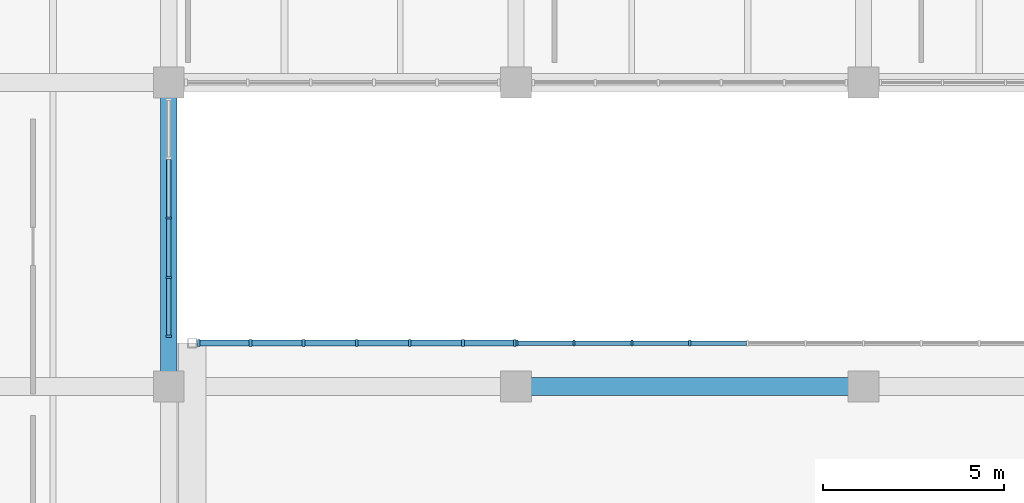
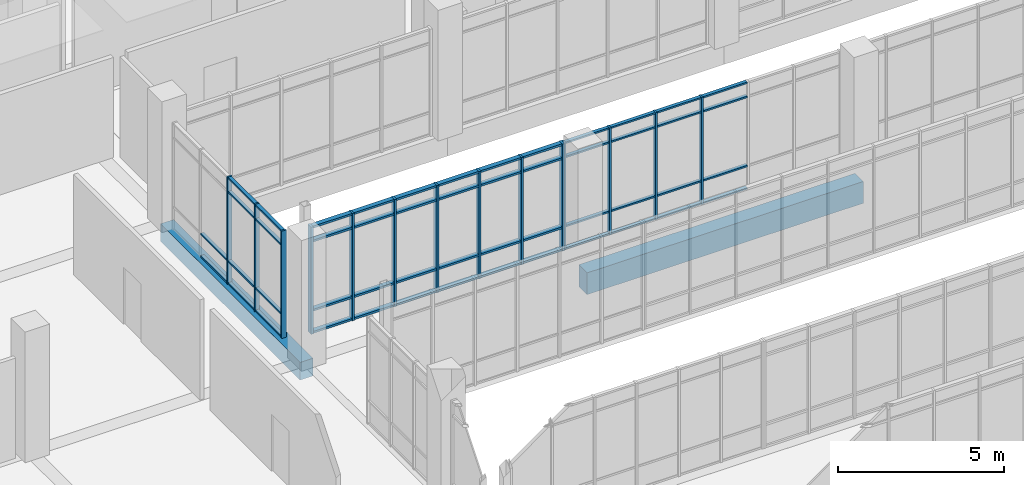
# One storey, part 53 of 152: 64 members, 2 beams, 3 elements without a shape of their own.
"""IFC4 building model written with IfcOpenShell, lengths in metres."""

from ifc_helpers import new_model, si_unit, direction, frame, origin, origin_2d, place, context, subcontext, project, spatial, rectangle, extrude, material, material_profile, profile_set, type_object, element, aggregate, save


model = new_model("IFC4")

# Units and contexts
model_context = context("Model", 3, precision=1e-05, world=origin(), true_north=direction((0.0, 1.0)))
body_context = subcontext(model_context, "Body", "Model", "MODEL_VIEW")
ifc_project = project(units=[si_unit("LENGTHUNIT", "METRE"), si_unit("AREAUNIT", "SQUARE_METRE"), si_unit("VOLUMEUNIT", "CUBIC_METRE"), si_unit("PLANEANGLEUNIT", "RADIAN"), si_unit("MASSUNIT", "GRAM", prefix="KILO")], contexts=[model_context])

# Site, building, storey
site_placement = place(None, origin())
site = spatial("IfcSite", under=ifc_project, at=site_placement, CompositionType="ELEMENT")
building_placement = place(site_placement, origin())
building = spatial("IfcBuilding", under=site, at=building_placement, Name="Oolite Switchyard Hospital", CompositionType="ELEMENT")
storey_placement = place(building_placement, frame((0.0, 0.0, 5.10009765625)))
storey = spatial("IfcBuildingStorey", under=building, at=storey_placement, Name="L01", CompositionType="ELEMENT", Elevation=5.10009765625)

# Beams
ifc_material_1 = material(Name="Concrete C40/50", Category="concrete")
ifc_material_profile_1 = material_profile(ifc_material_1, rectangle(XDim=0.449951171875, YDim=0.64990234375, at=origin_2d()), Name="RCB450X650")
ifc_profile_set_1 = profile_set([ifc_material_profile_1], Name="Concrete C40/50")
beam_type_1 = type_object("IfcBeamType", Name="BM-RC450X650", PredefinedType="BEAM", material=ifc_profile_set_1)
beam_1_placement = place(storey_placement, frame((144.0, 50.39990234375, -0.3251953125), z_axis=(0.0, 1.0, 0.0), x_axis=(-1.0, 0.0, 0.0)))
element("IfcBeam", 1, at=beam_1_placement, inside=storey, type_object=beam_type_1, Name="L01 Y-Girder 464", PredefinedType="BEAM", context=body_context, shape_type="SweptSolid", body=[
    extrude(rectangle(XDim=0.449951171875, YDim=0.64990234375, at=origin_2d()), origin(), (0.0, 0.0, 1.0), 8.400146484375),
])
ifc_material_profile_2 = material_profile(ifc_material_1, rectangle(XDim=0.5, YDim=0.800048828125, at=origin_2d()), Name="RCB500X800")
ifc_profile_set_2 = profile_set([ifc_material_profile_2], Name="Concrete C40/50")
beam_type_2 = type_object("IfcBeamType", Name="BM-RC500X800", PredefinedType="BEAM", material=ifc_profile_set_2)
beam_2_placement = place(storey_placement, frame((153.60009765625, 50.39990234375, -0.400146484375), z_axis=(1.0, 0.0, 0.0), x_axis=(0.0, 1.0, 0.0)))
element("IfcBeam", 2, at=beam_2_placement, inside=storey, type_object=beam_type_2, Name="L01 X-Girder 106", PredefinedType="BEAM", context=body_context, shape_type="SweptSolid", body=[
    extrude(rectangle(XDim=0.5, YDim=0.800048828125, at=origin_2d()), origin(), (0.0, 0.0, 1.0), 9.599853515625),
])

# Curtain wall, members
ifc_material_2 = material(Name="Thermally broken aluminum frame with laminated impact glazing", Category="aluminium")
curtain_wall_type_1 = type_object("IfcCurtainWallType", Name="CW-BRG-96X38", PredefinedType="USERDEFINED", material=ifc_material_2)
curtain_wall_1_placement = place(storey_placement, origin())
curtain_wall_1 = element("IfcCurtainWall", 3, at=curtain_wall_1_placement, inside=storey, type_object=curtain_wall_type_1, Name="L01 Unitised Curtain Wall 128", ObjectType="UNITISED", PredefinedType="USERDEFINED")
ifc_material_3 = material(Name="Aluminium 6063-T6", Category="aluminium")
ifc_material_profile_3 = material_profile(ifc_material_3, rectangle(XDim=0.159912109375, YDim=0.06005859375, at=origin_2d()), Name="CWM60X160")
ifc_profile_set_3 = profile_set([ifc_material_profile_3], Name="Aluminium 6063-T6")
member_type_1 = type_object("IfcMemberType", Name="CW-MUL-180", PredefinedType="MULLION", material=ifc_profile_set_3)
member_1_placement = place(storey_placement, frame((153.6298828125, 51.60009765625, 0.0), z_axis=(0.0, 0.0, 1.0), x_axis=(0.0, 1.0, 0.0)))
member_1 = element("IfcMember", 4, at=member_1_placement, type_object=member_type_1, Name="CW-12 mullion 1", PredefinedType="MULLION", context=body_context, shape_type="SweptSolid", body=[
    extrude(rectangle(XDim=0.159912109375, YDim=0.06005859375, at=origin_2d()), origin(), (0.0, 0.0, 1.0), 3.93994140625),
])
member_2_placement = place(storey_placement, frame((155.199951171875, 51.60009765625, 0.0), z_axis=(0.0, 0.0, 1.0), x_axis=(0.0, 1.0, 0.0)))
member_2 = element("IfcMember", 5, at=member_2_placement, type_object=member_type_1, Name="CW-12 mullion 2", PredefinedType="MULLION", context=body_context, shape_type="SweptSolid", body=[
    extrude(rectangle(XDim=0.159912109375, YDim=0.06005859375, at=origin_2d()), origin(), (0.0, 0.0, 1.0), 3.93994140625),
])
member_3_placement = place(storey_placement, frame((156.800048828125, 51.60009765625, 0.0), z_axis=(0.0, 0.0, 1.0), x_axis=(0.0, 1.0, 0.0)))
member_3 = element("IfcMember", 6, at=member_3_placement, type_object=member_type_1, Name="CW-12 mullion 3", PredefinedType="MULLION", context=body_context, shape_type="SweptSolid", body=[
    extrude(rectangle(XDim=0.159912109375, YDim=0.06005859375, at=origin_2d()), origin(), (0.0, 0.0, 1.0), 3.93994140625),
])
member_4_placement = place(storey_placement, frame((158.39990234375, 51.60009765625, 0.0), z_axis=(0.0, 0.0, 1.0), x_axis=(0.0, 1.0, 0.0)))
member_4 = element("IfcMember", 7, at=member_4_placement, type_object=member_type_1, Name="CW-12 mullion 4", PredefinedType="MULLION", context=body_context, shape_type="SweptSolid", body=[
    extrude(rectangle(XDim=0.159912109375, YDim=0.06005859375, at=origin_2d()), origin(), (0.0, 0.0, 1.0), 3.93994140625),
])

curtain_wall_type_2 = type_object("IfcCurtainWallType", Name="CW-UNIT-84X48", PredefinedType="USERDEFINED", material=ifc_material_2)
curtain_wall_2_placement = place(storey_placement, origin())
curtain_wall_2 = element("IfcCurtainWall", 8, at=curtain_wall_2_placement, inside=storey, type_object=curtain_wall_type_2, Name="L01 Unitised Curtain Wall 194", ObjectType="UNITISED", PredefinedType="USERDEFINED")
member_5_placement = place(storey_placement, frame((144.0, 55.06005859375, 0.0), z_axis=(0.0, 0.0, 1.0), x_axis=(1.0, 0.0, 0.0)))
member_5 = element("IfcMember", 9, at=member_5_placement, type_object=member_type_1, Name="CW-07 mullion 3", PredefinedType="MULLION", context=body_context, shape_type="SweptSolid", body=[
    extrude(rectangle(XDim=0.159912109375, YDim=0.06005859375, at=origin_2d()), origin(), (0.0, 0.0, 1.0), 3.93994140625),
])
member_6_placement = place(storey_placement, frame((144.0, 53.409912109375, 0.0), z_axis=(0.0, 0.0, 1.0), x_axis=(1.0, 0.0, 0.0)))
member_6 = element("IfcMember", 10, at=member_6_placement, type_object=member_type_1, Name="CW-07 mullion 4", PredefinedType="MULLION", context=body_context, shape_type="SweptSolid", body=[
    extrude(rectangle(XDim=0.159912109375, YDim=0.06005859375, at=origin_2d()), origin(), (0.0, 0.0, 1.0), 3.93994140625),
])
member_7_placement = place(storey_placement, frame((144.0, 51.7900390625, 0.0), z_axis=(0.0, 0.0, 1.0), x_axis=(1.0, 0.0, 0.0)))
member_7 = element("IfcMember", 11, at=member_7_placement, type_object=member_type_1, Name="CW-07 mullion 5", PredefinedType="MULLION", context=body_context, shape_type="SweptSolid", body=[
    extrude(rectangle(XDim=0.159912109375, YDim=0.06005859375, at=origin_2d()), origin(), (0.0, 0.0, 1.0), 3.93994140625),
])

curtain_wall_3_placement = place(storey_placement, origin())
curtain_wall_3 = element("IfcCurtainWall", 12, at=curtain_wall_3_placement, inside=storey, type_object=curtain_wall_type_1, Name="L01 Unitised Curtain Wall 127", ObjectType="UNITISED", PredefinedType="USERDEFINED")
ifc_material_profile_4 = material_profile(ifc_material_3, rectangle(XDim=0.199951171875, YDim=0.074951171875, at=origin_2d()), Name="CWM75X200")
ifc_profile_set_4 = profile_set([ifc_material_profile_4], Name="Aluminium 6063-T6")
member_type_2 = type_object("IfcMemberType", Name="CW-MUL-260", PredefinedType="MULLION", material=ifc_profile_set_4)
member_8_placement = place(storey_placement, frame((144.82958984375, 51.60009765625, 0.0), z_axis=(0.0, 0.0, 1.0), x_axis=(0.0, 1.0, 0.0)))
member_8 = element("IfcMember", 13, at=member_8_placement, type_object=member_type_2, Name="CW-12 mullion 1", PredefinedType="MULLION", context=body_context, shape_type="SweptSolid", body=[
    extrude(rectangle(XDim=0.199951171875, YDim=0.074951171875, at=origin_2d()), origin(), (0.0, 0.0, 1.0), 3.93994140625),
])
member_9_placement = place(storey_placement, frame((146.260009765625, 51.60009765625, 0.0), z_axis=(0.0, 0.0, 1.0), x_axis=(0.0, 1.0, 0.0)))
member_9 = element("IfcMember", 14, at=member_9_placement, type_object=member_type_2, Name="CW-12 mullion 2", PredefinedType="MULLION", context=body_context, shape_type="SweptSolid", body=[
    extrude(rectangle(XDim=0.199951171875, YDim=0.074951171875, at=origin_2d()), origin(), (0.0, 0.0, 1.0), 3.93994140625),
])
member_10_placement = place(storey_placement, frame((147.72802734375, 51.60009765625, 0.0), z_axis=(0.0, 0.0, 1.0), x_axis=(0.0, 1.0, 0.0)))
member_10 = element("IfcMember", 15, at=member_10_placement, type_object=member_type_2, Name="CW-12 mullion 3", PredefinedType="MULLION", context=body_context, shape_type="SweptSolid", body=[
    extrude(rectangle(XDim=0.199951171875, YDim=0.074951171875, at=origin_2d()), origin(), (0.0, 0.0, 1.0), 3.93994140625),
])
member_11_placement = place(storey_placement, frame((149.196044921875, 51.60009765625, 0.0), z_axis=(0.0, 0.0, 1.0), x_axis=(0.0, 1.0, 0.0)))
member_11 = element("IfcMember", 16, at=member_11_placement, type_object=member_type_2, Name="CW-12 mullion 4", PredefinedType="MULLION", context=body_context, shape_type="SweptSolid", body=[
    extrude(rectangle(XDim=0.199951171875, YDim=0.074951171875, at=origin_2d()), origin(), (0.0, 0.0, 1.0), 3.93994140625),
])
member_12_placement = place(storey_placement, frame((150.6640625, 51.60009765625, 0.0), z_axis=(0.0, 0.0, 1.0), x_axis=(0.0, 1.0, 0.0)))
member_12 = element("IfcMember", 17, at=member_12_placement, type_object=member_type_2, Name="CW-12 mullion 5", PredefinedType="MULLION", context=body_context, shape_type="SweptSolid", body=[
    extrude(rectangle(XDim=0.199951171875, YDim=0.074951171875, at=origin_2d()), origin(), (0.0, 0.0, 1.0), 3.93994140625),
])
member_13_placement = place(storey_placement, frame((152.132080078125, 51.60009765625, 0.0), z_axis=(0.0, 0.0, 1.0), x_axis=(0.0, 1.0, 0.0)))
member_13 = element("IfcMember", 18, at=member_13_placement, type_object=member_type_2, Name="CW-12 mullion 6", PredefinedType="MULLION", context=body_context, shape_type="SweptSolid", body=[
    extrude(rectangle(XDim=0.199951171875, YDim=0.074951171875, at=origin_2d()), origin(), (0.0, 0.0, 1.0), 3.93994140625),
])
member_14_placement = place(storey_placement, frame((153.5625, 51.60009765625, 0.0), z_axis=(0.0, 0.0, 1.0), x_axis=(0.0, 1.0, 0.0)))
member_14 = element("IfcMember", 19, at=member_14_placement, type_object=member_type_2, Name="CW-12 mullion 7", PredefinedType="MULLION", context=body_context, shape_type="SweptSolid", body=[
    extrude(rectangle(XDim=0.199951171875, YDim=0.074951171875, at=origin_2d()), origin(), (0.0, 0.0, 1.0), 3.93994140625),
])

# Member
ifc_material_profile_5 = material_profile(ifc_material_3, rectangle(XDim=0.1201171875, YDim=0.06005859375, at=origin_2d()), Name="CWT60X120")
ifc_profile_set_5 = profile_set([ifc_material_profile_5], Name="Aluminium 6063-T6")
member_type_3 = type_object("IfcMemberType", Name="CW-TRN-150", PredefinedType="USERDEFINED", material=ifc_profile_set_5)
member_15_placement = place(storey_placement, frame((153.659912109375, 51.60009765625, 0.02978515625), z_axis=(1.0, 0.0, 0.0), x_axis=(0.0, 1.0, 0.0)))
member_15 = element("IfcMember", 20, at=member_15_placement, type_object=member_type_3, Name="CW-12 transom 1.1", ObjectType="TRANSOM", PredefinedType="USERDEFINED", context=body_context, shape_type="SweptSolid", body=[
    extrude(rectangle(XDim=0.1201171875, YDim=0.06005859375, at=origin_2d()), origin(), (0.0, 0.0, 1.0), 1.510009765625),
])

member_16_placement = place(storey_placement, frame((153.659912109375, 51.60009765625, 0.849853515625), z_axis=(1.0, 0.0, 0.0), x_axis=(0.0, 1.0, 0.0)))
member_16 = element("IfcMember", 21, at=member_16_placement, type_object=member_type_3, Name="CW-12 transom 1.2", ObjectType="TRANSOM", PredefinedType="USERDEFINED", context=body_context, shape_type="SweptSolid", body=[
    extrude(rectangle(XDim=0.1201171875, YDim=0.06005859375, at=origin_2d()), origin(), (0.0, 0.0, 1.0), 1.510009765625),
])

member_17_placement = place(storey_placement, frame((153.659912109375, 51.60009765625, 3.389892578125), z_axis=(1.0, 0.0, 0.0), x_axis=(0.0, 1.0, 0.0)))
member_17 = element("IfcMember", 22, at=member_17_placement, type_object=member_type_3, Name="CW-12 transom 1.3", ObjectType="TRANSOM", PredefinedType="USERDEFINED", context=body_context, shape_type="SweptSolid", body=[
    extrude(rectangle(XDim=0.1201171875, YDim=0.06005859375, at=origin_2d()), origin(), (0.0, 0.0, 1.0), 1.510009765625),
])

member_18_placement = place(storey_placement, frame((153.659912109375, 51.60009765625, 3.909912109375), z_axis=(1.0, 0.0, 0.0), x_axis=(0.0, 1.0, 0.0)))
member_18 = element("IfcMember", 23, at=member_18_placement, type_object=member_type_3, Name="CW-12 transom 1.4", ObjectType="TRANSOM", PredefinedType="USERDEFINED", context=body_context, shape_type="SweptSolid", body=[
    extrude(rectangle(XDim=0.1201171875, YDim=0.06005859375, at=origin_2d()), origin(), (0.0, 0.0, 1.0), 1.510009765625),
])

member_19_placement = place(storey_placement, frame((155.22998046875, 51.60009765625, 0.02978515625), z_axis=(1.0, 0.0, 0.0), x_axis=(0.0, 1.0, 0.0)))
member_19 = element("IfcMember", 24, at=member_19_placement, type_object=member_type_3, Name="CW-12 transom 2.1", ObjectType="TRANSOM", PredefinedType="USERDEFINED", context=body_context, shape_type="SweptSolid", body=[
    extrude(rectangle(XDim=0.1201171875, YDim=0.06005859375, at=origin_2d()), origin(), (0.0, 0.0, 1.0), 1.5400390625),
])

member_20_placement = place(storey_placement, frame((155.22998046875, 51.60009765625, 0.849853515625), z_axis=(1.0, 0.0, 0.0), x_axis=(0.0, 1.0, 0.0)))
member_20 = element("IfcMember", 25, at=member_20_placement, type_object=member_type_3, Name="CW-12 transom 2.2", ObjectType="TRANSOM", PredefinedType="USERDEFINED", context=body_context, shape_type="SweptSolid", body=[
    extrude(rectangle(XDim=0.1201171875, YDim=0.06005859375, at=origin_2d()), origin(), (0.0, 0.0, 1.0), 1.5400390625),
])

member_21_placement = place(storey_placement, frame((155.22998046875, 51.60009765625, 3.389892578125), z_axis=(1.0, 0.0, 0.0), x_axis=(0.0, 1.0, 0.0)))
member_21 = element("IfcMember", 26, at=member_21_placement, type_object=member_type_3, Name="CW-12 transom 2.3", ObjectType="TRANSOM", PredefinedType="USERDEFINED", context=body_context, shape_type="SweptSolid", body=[
    extrude(rectangle(XDim=0.1201171875, YDim=0.06005859375, at=origin_2d()), origin(), (0.0, 0.0, 1.0), 1.5400390625),
])

member_22_placement = place(storey_placement, frame((155.22998046875, 51.60009765625, 3.909912109375), z_axis=(1.0, 0.0, 0.0), x_axis=(0.0, 1.0, 0.0)))
member_22 = element("IfcMember", 27, at=member_22_placement, type_object=member_type_3, Name="CW-12 transom 2.4", ObjectType="TRANSOM", PredefinedType="USERDEFINED", context=body_context, shape_type="SweptSolid", body=[
    extrude(rectangle(XDim=0.1201171875, YDim=0.06005859375, at=origin_2d()), origin(), (0.0, 0.0, 1.0), 1.5400390625),
])

member_23_placement = place(storey_placement, frame((156.830078125, 51.60009765625, 0.02978515625), z_axis=(1.0, 0.0, 0.0), x_axis=(0.0, 1.0, 0.0)))
member_23 = element("IfcMember", 28, at=member_23_placement, type_object=member_type_3, Name="CW-12 transom 3.1", ObjectType="TRANSOM", PredefinedType="USERDEFINED", context=body_context, shape_type="SweptSolid", body=[
    extrude(rectangle(XDim=0.1201171875, YDim=0.06005859375, at=origin_2d()), origin(), (0.0, 0.0, 1.0), 1.5400390625),
])

member_24_placement = place(storey_placement, frame((156.830078125, 51.60009765625, 0.849853515625), z_axis=(1.0, 0.0, 0.0), x_axis=(0.0, 1.0, 0.0)))
member_24 = element("IfcMember", 29, at=member_24_placement, type_object=member_type_3, Name="CW-12 transom 3.2", ObjectType="TRANSOM", PredefinedType="USERDEFINED", context=body_context, shape_type="SweptSolid", body=[
    extrude(rectangle(XDim=0.1201171875, YDim=0.06005859375, at=origin_2d()), origin(), (0.0, 0.0, 1.0), 1.5400390625),
])

member_25_placement = place(storey_placement, frame((156.830078125, 51.60009765625, 3.389892578125), z_axis=(1.0, 0.0, 0.0), x_axis=(0.0, 1.0, 0.0)))
member_25 = element("IfcMember", 30, at=member_25_placement, type_object=member_type_3, Name="CW-12 transom 3.3", ObjectType="TRANSOM", PredefinedType="USERDEFINED", context=body_context, shape_type="SweptSolid", body=[
    extrude(rectangle(XDim=0.1201171875, YDim=0.06005859375, at=origin_2d()), origin(), (0.0, 0.0, 1.0), 1.5400390625),
])

member_26_placement = place(storey_placement, frame((156.830078125, 51.60009765625, 3.909912109375), z_axis=(1.0, 0.0, 0.0), x_axis=(0.0, 1.0, 0.0)))
member_26 = element("IfcMember", 31, at=member_26_placement, type_object=member_type_3, Name="CW-12 transom 3.4", ObjectType="TRANSOM", PredefinedType="USERDEFINED", context=body_context, shape_type="SweptSolid", body=[
    extrude(rectangle(XDim=0.1201171875, YDim=0.06005859375, at=origin_2d()), origin(), (0.0, 0.0, 1.0), 1.5400390625),
])

member_27_placement = place(storey_placement, frame((158.429931640625, 51.60009765625, 0.02978515625), z_axis=(1.0, 0.0, 0.0), x_axis=(0.0, 1.0, 0.0)))
member_27 = element("IfcMember", 32, at=member_27_placement, type_object=member_type_3, Name="CW-12 transom 4.1", ObjectType="TRANSOM", PredefinedType="USERDEFINED", context=body_context, shape_type="SweptSolid", body=[
    extrude(rectangle(XDim=0.1201171875, YDim=0.06005859375, at=origin_2d()), origin(), (0.0, 0.0, 1.0), 1.5400390625),
])

member_28_placement = place(storey_placement, frame((158.429931640625, 51.60009765625, 0.849853515625), z_axis=(1.0, 0.0, 0.0), x_axis=(0.0, 1.0, 0.0)))
member_28 = element("IfcMember", 33, at=member_28_placement, type_object=member_type_3, Name="CW-12 transom 4.2", ObjectType="TRANSOM", PredefinedType="USERDEFINED", context=body_context, shape_type="SweptSolid", body=[
    extrude(rectangle(XDim=0.1201171875, YDim=0.06005859375, at=origin_2d()), origin(), (0.0, 0.0, 1.0), 1.5400390625),
])

member_29_placement = place(storey_placement, frame((158.429931640625, 51.60009765625, 3.389892578125), z_axis=(1.0, 0.0, 0.0), x_axis=(0.0, 1.0, 0.0)))
member_29 = element("IfcMember", 34, at=member_29_placement, type_object=member_type_3, Name="CW-12 transom 4.3", ObjectType="TRANSOM", PredefinedType="USERDEFINED", context=body_context, shape_type="SweptSolid", body=[
    extrude(rectangle(XDim=0.1201171875, YDim=0.06005859375, at=origin_2d()), origin(), (0.0, 0.0, 1.0), 1.5400390625),
])

member_30_placement = place(storey_placement, frame((158.429931640625, 51.60009765625, 3.909912109375), z_axis=(1.0, 0.0, 0.0), x_axis=(0.0, 1.0, 0.0)))
member_30 = element("IfcMember", 35, at=member_30_placement, type_object=member_type_3, Name="CW-12 transom 4.4", ObjectType="TRANSOM", PredefinedType="USERDEFINED", context=body_context, shape_type="SweptSolid", body=[
    extrude(rectangle(XDim=0.1201171875, YDim=0.06005859375, at=origin_2d()), origin(), (0.0, 0.0, 1.0), 1.5400390625),
])

aggregate(curtain_wall_1, [member_1, member_2, member_3, member_4, member_15, member_16, member_17, member_18, member_19, member_20, member_21, member_22, member_23, member_24, member_25, member_26, member_27, member_28, member_29, member_30])

member_31_placement = place(storey_placement, frame((144.0, 56.679931640625, 0.02978515625), z_axis=(0.0, -1.0, 0.0), x_axis=(1.0, 0.0, 0.0)))
member_31 = element("IfcMember", 36, at=member_31_placement, type_object=member_type_3, Name="CW-07 transom 2.1", ObjectType="TRANSOM", PredefinedType="USERDEFINED", context=body_context, shape_type="SweptSolid", body=[
    extrude(rectangle(XDim=0.1201171875, YDim=0.06005859375, at=origin_2d()), origin(), (0.0, 0.0, 1.0), 1.58984375),
])

member_32_placement = place(storey_placement, frame((144.0, 56.679931640625, 0.849853515625), z_axis=(0.0, -1.0, 0.0), x_axis=(1.0, 0.0, 0.0)))
member_32 = element("IfcMember", 37, at=member_32_placement, type_object=member_type_3, Name="CW-07 transom 2.2", ObjectType="TRANSOM", PredefinedType="USERDEFINED", context=body_context, shape_type="SweptSolid", body=[
    extrude(rectangle(XDim=0.1201171875, YDim=0.06005859375, at=origin_2d()), origin(), (0.0, 0.0, 1.0), 1.58984375),
])

member_33_placement = place(storey_placement, frame((144.0, 55.030029296875, 0.02978515625), z_axis=(0.0, -1.0, 0.0), x_axis=(1.0, 0.0, 0.0)))
member_33 = element("IfcMember", 38, at=member_33_placement, type_object=member_type_3, Name="CW-07 transom 3.1", ObjectType="TRANSOM", PredefinedType="USERDEFINED", context=body_context, shape_type="SweptSolid", body=[
    extrude(rectangle(XDim=0.1201171875, YDim=0.06005859375, at=origin_2d()), origin(), (0.0, 0.0, 1.0), 1.590087890625),
])

member_34_placement = place(storey_placement, frame((144.0, 55.030029296875, 0.849853515625), z_axis=(0.0, -1.0, 0.0), x_axis=(1.0, 0.0, 0.0)))
member_34 = element("IfcMember", 39, at=member_34_placement, type_object=member_type_3, Name="CW-07 transom 3.2", ObjectType="TRANSOM", PredefinedType="USERDEFINED", context=body_context, shape_type="SweptSolid", body=[
    extrude(rectangle(XDim=0.1201171875, YDim=0.06005859375, at=origin_2d()), origin(), (0.0, 0.0, 1.0), 1.590087890625),
])

member_35_placement = place(storey_placement, frame((144.0, 55.030029296875, 3.389892578125), z_axis=(0.0, -1.0, 0.0), x_axis=(1.0, 0.0, 0.0)))
member_35 = element("IfcMember", 40, at=member_35_placement, type_object=member_type_3, Name="CW-07 transom 3.3", ObjectType="TRANSOM", PredefinedType="USERDEFINED", context=body_context, shape_type="SweptSolid", body=[
    extrude(rectangle(XDim=0.1201171875, YDim=0.06005859375, at=origin_2d()), origin(), (0.0, 0.0, 1.0), 1.590087890625),
])

member_36_placement = place(storey_placement, frame((144.0, 55.030029296875, 3.909912109375), z_axis=(0.0, -1.0, 0.0), x_axis=(1.0, 0.0, 0.0)))
member_36 = element("IfcMember", 41, at=member_36_placement, type_object=member_type_3, Name="CW-07 transom 3.4", ObjectType="TRANSOM", PredefinedType="USERDEFINED", context=body_context, shape_type="SweptSolid", body=[
    extrude(rectangle(XDim=0.1201171875, YDim=0.06005859375, at=origin_2d()), origin(), (0.0, 0.0, 1.0), 1.590087890625),
])

member_37_placement = place(storey_placement, frame((144.0, 53.3798828125, 0.02978515625), z_axis=(0.0, -1.0, 0.0), x_axis=(1.0, 0.0, 0.0)))
member_37 = element("IfcMember", 42, at=member_37_placement, type_object=member_type_3, Name="CW-07 transom 4.1", ObjectType="TRANSOM", PredefinedType="USERDEFINED", context=body_context, shape_type="SweptSolid", body=[
    extrude(rectangle(XDim=0.1201171875, YDim=0.06005859375, at=origin_2d()), origin(), (0.0, 0.0, 1.0), 1.559814453125),
])

member_38_placement = place(storey_placement, frame((144.0, 53.3798828125, 0.849853515625), z_axis=(0.0, -1.0, 0.0), x_axis=(1.0, 0.0, 0.0)))
member_38 = element("IfcMember", 43, at=member_38_placement, type_object=member_type_3, Name="CW-07 transom 4.2", ObjectType="TRANSOM", PredefinedType="USERDEFINED", context=body_context, shape_type="SweptSolid", body=[
    extrude(rectangle(XDim=0.1201171875, YDim=0.06005859375, at=origin_2d()), origin(), (0.0, 0.0, 1.0), 1.559814453125),
])

member_39_placement = place(storey_placement, frame((144.0, 53.3798828125, 3.389892578125), z_axis=(0.0, -1.0, 0.0), x_axis=(1.0, 0.0, 0.0)))
member_39 = element("IfcMember", 44, at=member_39_placement, type_object=member_type_3, Name="CW-07 transom 4.3", ObjectType="TRANSOM", PredefinedType="USERDEFINED", context=body_context, shape_type="SweptSolid", body=[
    extrude(rectangle(XDim=0.1201171875, YDim=0.06005859375, at=origin_2d()), origin(), (0.0, 0.0, 1.0), 1.559814453125),
])

member_40_placement = place(storey_placement, frame((144.0, 53.3798828125, 3.909912109375), z_axis=(0.0, -1.0, 0.0), x_axis=(1.0, 0.0, 0.0)))
member_40 = element("IfcMember", 45, at=member_40_placement, type_object=member_type_3, Name="CW-07 transom 4.4", ObjectType="TRANSOM", PredefinedType="USERDEFINED", context=body_context, shape_type="SweptSolid", body=[
    extrude(rectangle(XDim=0.1201171875, YDim=0.06005859375, at=origin_2d()), origin(), (0.0, 0.0, 1.0), 1.559814453125),
])

aggregate(curtain_wall_2, [member_5, member_6, member_7, member_31, member_32, member_33, member_34, member_35, member_36, member_37, member_38, member_39, member_40])

ifc_material_profile_6 = material_profile(ifc_material_3, rectangle(XDim=0.159912109375, YDim=0.074951171875, at=origin_2d()), Name="CWT75X160")
ifc_profile_set_6 = profile_set([ifc_material_profile_6], Name="Aluminium 6063-T6")
member_type_4 = type_object("IfcMemberType", Name="CW-TRN-180", PredefinedType="USERDEFINED", material=ifc_profile_set_6)
member_41_placement = place(storey_placement, frame((144.866943359375, 51.60009765625, 0.037353515625), z_axis=(1.0, 0.0, 0.0), x_axis=(0.0, 1.0, 0.0)))
member_41 = element("IfcMember", 46, at=member_41_placement, type_object=member_type_4, Name="CW-12 transom 1.1", ObjectType="TRANSOM", PredefinedType="USERDEFINED", context=body_context, shape_type="SweptSolid", body=[
    extrude(rectangle(XDim=0.159912109375, YDim=0.074951171875, at=origin_2d()), origin(), (0.0, 0.0, 1.0), 1.35546875),
])

member_42_placement = place(storey_placement, frame((144.866943359375, 51.60009765625, 0.849853515625), z_axis=(1.0, 0.0, 0.0), x_axis=(0.0, 1.0, 0.0)))
member_42 = element("IfcMember", 47, at=member_42_placement, type_object=member_type_4, Name="CW-12 transom 1.2", ObjectType="TRANSOM", PredefinedType="USERDEFINED", context=body_context, shape_type="SweptSolid", body=[
    extrude(rectangle(XDim=0.159912109375, YDim=0.074951171875, at=origin_2d()), origin(), (0.0, 0.0, 1.0), 1.35546875),
])

member_43_placement = place(storey_placement, frame((144.866943359375, 51.60009765625, 3.389892578125), z_axis=(1.0, 0.0, 0.0), x_axis=(0.0, 1.0, 0.0)))
member_43 = element("IfcMember", 48, at=member_43_placement, type_object=member_type_4, Name="CW-12 transom 1.3", ObjectType="TRANSOM", PredefinedType="USERDEFINED", context=body_context, shape_type="SweptSolid", body=[
    extrude(rectangle(XDim=0.159912109375, YDim=0.074951171875, at=origin_2d()), origin(), (0.0, 0.0, 1.0), 1.35546875),
])

member_44_placement = place(storey_placement, frame((144.866943359375, 51.60009765625, 3.90234375), z_axis=(1.0, 0.0, 0.0), x_axis=(0.0, 1.0, 0.0)))
member_44 = element("IfcMember", 49, at=member_44_placement, type_object=member_type_4, Name="CW-12 transom 1.4", ObjectType="TRANSOM", PredefinedType="USERDEFINED", context=body_context, shape_type="SweptSolid", body=[
    extrude(rectangle(XDim=0.159912109375, YDim=0.074951171875, at=origin_2d()), origin(), (0.0, 0.0, 1.0), 1.35546875),
])

member_45_placement = place(storey_placement, frame((146.297607421875, 51.60009765625, 0.037353515625), z_axis=(1.0, 0.0, 0.0), x_axis=(0.0, 1.0, 0.0)))
member_45 = element("IfcMember", 50, at=member_45_placement, type_object=member_type_4, Name="CW-12 transom 2.1", ObjectType="TRANSOM", PredefinedType="USERDEFINED", context=body_context, shape_type="SweptSolid", body=[
    extrude(rectangle(XDim=0.159912109375, YDim=0.074951171875, at=origin_2d()), origin(), (0.0, 0.0, 1.0), 1.392822265625),
])

member_46_placement = place(storey_placement, frame((146.297607421875, 51.60009765625, 0.849853515625), z_axis=(1.0, 0.0, 0.0), x_axis=(0.0, 1.0, 0.0)))
member_46 = element("IfcMember", 51, at=member_46_placement, type_object=member_type_4, Name="CW-12 transom 2.2", ObjectType="TRANSOM", PredefinedType="USERDEFINED", context=body_context, shape_type="SweptSolid", body=[
    extrude(rectangle(XDim=0.159912109375, YDim=0.074951171875, at=origin_2d()), origin(), (0.0, 0.0, 1.0), 1.392822265625),
])

member_47_placement = place(storey_placement, frame((146.297607421875, 51.60009765625, 3.389892578125), z_axis=(1.0, 0.0, 0.0), x_axis=(0.0, 1.0, 0.0)))
member_47 = element("IfcMember", 52, at=member_47_placement, type_object=member_type_4, Name="CW-12 transom 2.3", ObjectType="TRANSOM", PredefinedType="USERDEFINED", context=body_context, shape_type="SweptSolid", body=[
    extrude(rectangle(XDim=0.159912109375, YDim=0.074951171875, at=origin_2d()), origin(), (0.0, 0.0, 1.0), 1.392822265625),
])

member_48_placement = place(storey_placement, frame((146.297607421875, 51.60009765625, 3.90234375), z_axis=(1.0, 0.0, 0.0), x_axis=(0.0, 1.0, 0.0)))
member_48 = element("IfcMember", 53, at=member_48_placement, type_object=member_type_4, Name="CW-12 transom 2.4", ObjectType="TRANSOM", PredefinedType="USERDEFINED", context=body_context, shape_type="SweptSolid", body=[
    extrude(rectangle(XDim=0.159912109375, YDim=0.074951171875, at=origin_2d()), origin(), (0.0, 0.0, 1.0), 1.392822265625),
])

member_49_placement = place(storey_placement, frame((147.765380859375, 51.60009765625, 0.037353515625), z_axis=(1.0, 0.0, 0.0), x_axis=(0.0, 1.0, 0.0)))
member_49 = element("IfcMember", 54, at=member_49_placement, type_object=member_type_4, Name="CW-12 transom 3.1", ObjectType="TRANSOM", PredefinedType="USERDEFINED", context=body_context, shape_type="SweptSolid", body=[
    extrude(rectangle(XDim=0.159912109375, YDim=0.074951171875, at=origin_2d()), origin(), (0.0, 0.0, 1.0), 1.39306640625),
])

member_50_placement = place(storey_placement, frame((147.765380859375, 51.60009765625, 0.849853515625), z_axis=(1.0, 0.0, 0.0), x_axis=(0.0, 1.0, 0.0)))
member_50 = element("IfcMember", 55, at=member_50_placement, type_object=member_type_4, Name="CW-12 transom 3.2", ObjectType="TRANSOM", PredefinedType="USERDEFINED", context=body_context, shape_type="SweptSolid", body=[
    extrude(rectangle(XDim=0.159912109375, YDim=0.074951171875, at=origin_2d()), origin(), (0.0, 0.0, 1.0), 1.39306640625),
])

member_51_placement = place(storey_placement, frame((147.765380859375, 51.60009765625, 3.389892578125), z_axis=(1.0, 0.0, 0.0), x_axis=(0.0, 1.0, 0.0)))
member_51 = element("IfcMember", 56, at=member_51_placement, type_object=member_type_4, Name="CW-12 transom 3.3", ObjectType="TRANSOM", PredefinedType="USERDEFINED", context=body_context, shape_type="SweptSolid", body=[
    extrude(rectangle(XDim=0.159912109375, YDim=0.074951171875, at=origin_2d()), origin(), (0.0, 0.0, 1.0), 1.39306640625),
])

member_52_placement = place(storey_placement, frame((147.765380859375, 51.60009765625, 3.90234375), z_axis=(1.0, 0.0, 0.0), x_axis=(0.0, 1.0, 0.0)))
member_52 = element("IfcMember", 57, at=member_52_placement, type_object=member_type_4, Name="CW-12 transom 3.4", ObjectType="TRANSOM", PredefinedType="USERDEFINED", context=body_context, shape_type="SweptSolid", body=[
    extrude(rectangle(XDim=0.159912109375, YDim=0.074951171875, at=origin_2d()), origin(), (0.0, 0.0, 1.0), 1.39306640625),
])

member_53_placement = place(storey_placement, frame((149.2333984375, 51.60009765625, 0.037353515625), z_axis=(1.0, 0.0, 0.0), x_axis=(0.0, 1.0, 0.0)))
member_53 = element("IfcMember", 58, at=member_53_placement, type_object=member_type_4, Name="CW-12 transom 4.1", ObjectType="TRANSOM", PredefinedType="USERDEFINED", context=body_context, shape_type="SweptSolid", body=[
    extrude(rectangle(XDim=0.159912109375, YDim=0.074951171875, at=origin_2d()), origin(), (0.0, 0.0, 1.0), 1.39306640625),
])

member_54_placement = place(storey_placement, frame((149.2333984375, 51.60009765625, 0.849853515625), z_axis=(1.0, 0.0, 0.0), x_axis=(0.0, 1.0, 0.0)))
member_54 = element("IfcMember", 59, at=member_54_placement, type_object=member_type_4, Name="CW-12 transom 4.2", ObjectType="TRANSOM", PredefinedType="USERDEFINED", context=body_context, shape_type="SweptSolid", body=[
    extrude(rectangle(XDim=0.159912109375, YDim=0.074951171875, at=origin_2d()), origin(), (0.0, 0.0, 1.0), 1.39306640625),
])

member_55_placement = place(storey_placement, frame((149.2333984375, 51.60009765625, 3.389892578125), z_axis=(1.0, 0.0, 0.0), x_axis=(0.0, 1.0, 0.0)))
member_55 = element("IfcMember", 60, at=member_55_placement, type_object=member_type_4, Name="CW-12 transom 4.3", ObjectType="TRANSOM", PredefinedType="USERDEFINED", context=body_context, shape_type="SweptSolid", body=[
    extrude(rectangle(XDim=0.159912109375, YDim=0.074951171875, at=origin_2d()), origin(), (0.0, 0.0, 1.0), 1.39306640625),
])

member_56_placement = place(storey_placement, frame((149.2333984375, 51.60009765625, 3.90234375), z_axis=(1.0, 0.0, 0.0), x_axis=(0.0, 1.0, 0.0)))
member_56 = element("IfcMember", 61, at=member_56_placement, type_object=member_type_4, Name="CW-12 transom 4.4", ObjectType="TRANSOM", PredefinedType="USERDEFINED", context=body_context, shape_type="SweptSolid", body=[
    extrude(rectangle(XDim=0.159912109375, YDim=0.074951171875, at=origin_2d()), origin(), (0.0, 0.0, 1.0), 1.39306640625),
])

member_57_placement = place(storey_placement, frame((150.701416015625, 51.60009765625, 0.037353515625), z_axis=(1.0, 0.0, 0.0), x_axis=(0.0, 1.0, 0.0)))
member_57 = element("IfcMember", 62, at=member_57_placement, type_object=member_type_4, Name="CW-12 transom 5.1", ObjectType="TRANSOM", PredefinedType="USERDEFINED", context=body_context, shape_type="SweptSolid", body=[
    extrude(rectangle(XDim=0.159912109375, YDim=0.074951171875, at=origin_2d()), origin(), (0.0, 0.0, 1.0), 1.39306640625),
])

member_58_placement = place(storey_placement, frame((150.701416015625, 51.60009765625, 0.849853515625), z_axis=(1.0, 0.0, 0.0), x_axis=(0.0, 1.0, 0.0)))
member_58 = element("IfcMember", 63, at=member_58_placement, type_object=member_type_4, Name="CW-12 transom 5.2", ObjectType="TRANSOM", PredefinedType="USERDEFINED", context=body_context, shape_type="SweptSolid", body=[
    extrude(rectangle(XDim=0.159912109375, YDim=0.074951171875, at=origin_2d()), origin(), (0.0, 0.0, 1.0), 1.39306640625),
])

member_59_placement = place(storey_placement, frame((150.701416015625, 51.60009765625, 3.389892578125), z_axis=(1.0, 0.0, 0.0), x_axis=(0.0, 1.0, 0.0)))
member_59 = element("IfcMember", 64, at=member_59_placement, type_object=member_type_4, Name="CW-12 transom 5.3", ObjectType="TRANSOM", PredefinedType="USERDEFINED", context=body_context, shape_type="SweptSolid", body=[
    extrude(rectangle(XDim=0.159912109375, YDim=0.074951171875, at=origin_2d()), origin(), (0.0, 0.0, 1.0), 1.39306640625),
])

member_60_placement = place(storey_placement, frame((150.701416015625, 51.60009765625, 3.90234375), z_axis=(1.0, 0.0, 0.0), x_axis=(0.0, 1.0, 0.0)))
member_60 = element("IfcMember", 65, at=member_60_placement, type_object=member_type_4, Name="CW-12 transom 5.4", ObjectType="TRANSOM", PredefinedType="USERDEFINED", context=body_context, shape_type="SweptSolid", body=[
    extrude(rectangle(XDim=0.159912109375, YDim=0.074951171875, at=origin_2d()), origin(), (0.0, 0.0, 1.0), 1.39306640625),
])

member_61_placement = place(storey_placement, frame((152.16943359375, 51.60009765625, 0.037353515625), z_axis=(1.0, 0.0, 0.0), x_axis=(0.0, 1.0, 0.0)))
member_61 = element("IfcMember", 66, at=member_61_placement, type_object=member_type_4, Name="CW-12 transom 6.1", ObjectType="TRANSOM", PredefinedType="USERDEFINED", context=body_context, shape_type="SweptSolid", body=[
    extrude(rectangle(XDim=0.159912109375, YDim=0.074951171875, at=origin_2d()), origin(), (0.0, 0.0, 1.0), 1.35546875),
])

member_62_placement = place(storey_placement, frame((152.16943359375, 51.60009765625, 0.849853515625), z_axis=(1.0, 0.0, 0.0), x_axis=(0.0, 1.0, 0.0)))
member_62 = element("IfcMember", 67, at=member_62_placement, type_object=member_type_4, Name="CW-12 transom 6.2", ObjectType="TRANSOM", PredefinedType="USERDEFINED", context=body_context, shape_type="SweptSolid", body=[
    extrude(rectangle(XDim=0.159912109375, YDim=0.074951171875, at=origin_2d()), origin(), (0.0, 0.0, 1.0), 1.35546875),
])

member_63_placement = place(storey_placement, frame((152.16943359375, 51.60009765625, 3.389892578125), z_axis=(1.0, 0.0, 0.0), x_axis=(0.0, 1.0, 0.0)))
member_63 = element("IfcMember", 68, at=member_63_placement, type_object=member_type_4, Name="CW-12 transom 6.3", ObjectType="TRANSOM", PredefinedType="USERDEFINED", context=body_context, shape_type="SweptSolid", body=[
    extrude(rectangle(XDim=0.159912109375, YDim=0.074951171875, at=origin_2d()), origin(), (0.0, 0.0, 1.0), 1.35546875),
])

member_64_placement = place(storey_placement, frame((152.16943359375, 51.60009765625, 3.90234375), z_axis=(1.0, 0.0, 0.0), x_axis=(0.0, 1.0, 0.0)))
member_64 = element("IfcMember", 69, at=member_64_placement, type_object=member_type_4, Name="CW-12 transom 6.4", ObjectType="TRANSOM", PredefinedType="USERDEFINED", context=body_context, shape_type="SweptSolid", body=[
    extrude(rectangle(XDim=0.159912109375, YDim=0.074951171875, at=origin_2d()), origin(), (0.0, 0.0, 1.0), 1.35546875),
])

aggregate(curtain_wall_3, [member_8, member_9, member_10, member_11, member_12, member_13, member_14, member_41, member_42, member_43, member_44, member_45, member_46, member_47, member_48, member_49, member_50, member_51, member_52, member_53, member_54, member_55, member_56, member_57, member_58, member_59, member_60, member_61, member_62, member_63, member_64])

save(model, "model.ifc")
